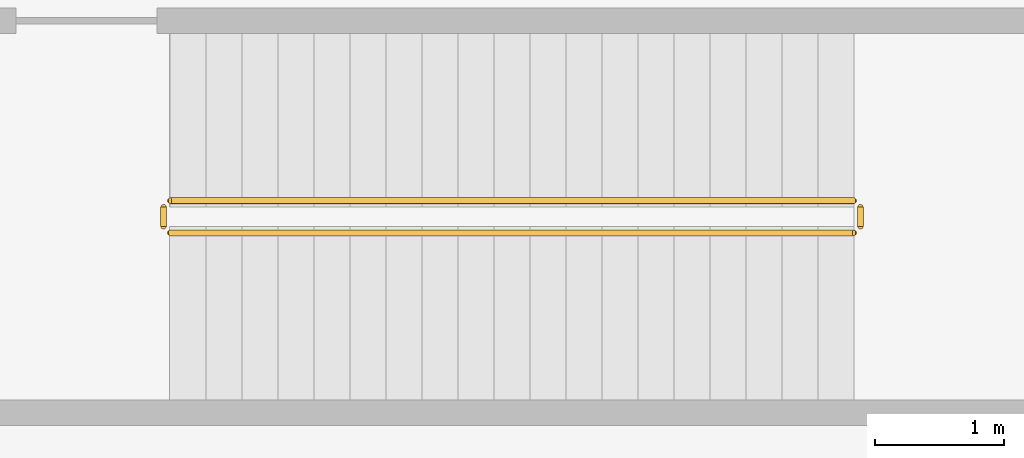
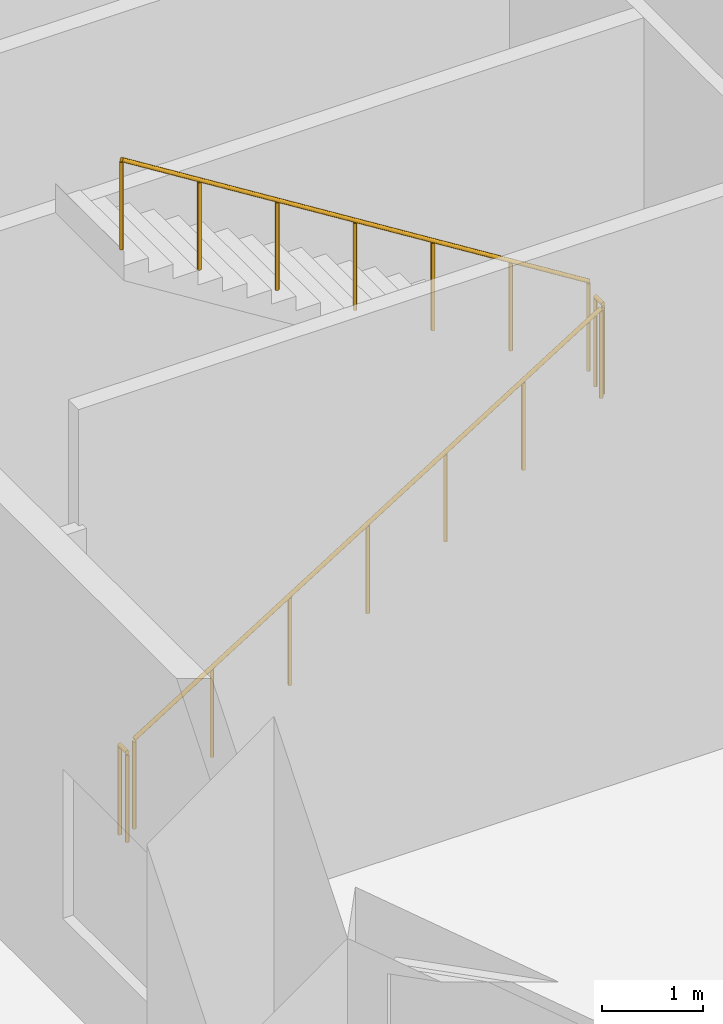
# One storey, part 24 of 32: 4 railings.
"""IFC4 building model written with IfcOpenShell, lengths in metres."""

import ifcopenshell
import ifcopenshell.guid

model = None  # the IFC model being written
_history = None  # IfcOwnerHistory: only IFC2X3 demands one
_inside = {}  # id of a spatial element -> (the spatial element, [elements in it])
_under = {}  # id of a project, library or spatial element -> (it, [spatial elements below it])
_declared = {}  # id of a project -> (the project, [libraries it declares])
_typed = {}  # id of a type object -> (the type object, [elements of that type])
_made_of = {}  # id of a material, layer set ... -> (it, [elements and type objects made of it])


def new_model(schema):
    """Start an empty IFC model of exactly this schema.

    Asked for "IFC4X3", IfcOpenShell would pick the latest addendum, in which some entities
    have other attributes; the version numbers below select the first issue.
    IFC2X3 requires an IfcOwnerHistory on every rooted entity: one is made here for all.
    """
    global model, _history
    if schema == "IFC4X3":
        model = ifcopenshell.file(schema_version=(4, 3, 0, 0))
    else:
        model = ifcopenshell.file(schema=schema)
    _inside.clear()
    _under.clear()
    _declared.clear()
    _typed.clear()
    _made_of.clear()
    _history = None
    if model.schema == "IFC2X3":
        org = make("IfcOrganization", Name="unknown")
        user = make(
            "IfcPersonAndOrganization",
            ThePerson=make("IfcPerson", FamilyName="unknown"),
            TheOrganization=org,
        )
        app = make(
            "IfcApplication",
            ApplicationDeveloper=org,
            Version="unknown",
            ApplicationFullName="unknown",
            ApplicationIdentifier="unknown",
        )
        _history = make(
            "IfcOwnerHistory",
            OwningUser=user,
            OwningApplication=app,
            ChangeAction="ADDED",
            CreationDate=0,
        )
    return model


def make(cls, **values):
    """One entity of the class cls with the attributes given. An attribute that is None is left unset."""
    return model.create_entity(
        cls, **{name: value for name, value in values.items() if value is not None}
    )


def rooted(cls, **values):
    """An entity with a GlobalId (a new one), such as an element, a storey or a relation."""
    return make(cls, GlobalId=ifcopenshell.guid.new(), OwnerHistory=_history, **values)


def si_unit(unit_type, name, prefix=None):
    """IfcSIUnit, for example si_unit("LENGTHUNIT", "METRE", prefix="MILLI")."""
    return make("IfcSIUnit", UnitType=unit_type, Prefix=prefix, Name=name)


def assignment(units):
    """IfcUnitAssignment: the units of a project."""
    return None if units is None else make("IfcUnitAssignment", Units=units)


def point(xyz):
    """IfcCartesianPoint."""
    return None if xyz is None else make("IfcCartesianPoint", Coordinates=xyz)


def direction(xyz):
    """IfcDirection."""
    return None if xyz is None else make("IfcDirection", DirectionRatios=xyz)


def frame(location, z_axis=None, x_axis=None):
    """IfcAxis2Placement3D, a coordinate frame: its origin and axes. An axis left out is left unset."""
    return make(
        "IfcAxis2Placement3D",
        Location=point(location),
        Axis=direction(z_axis),
        RefDirection=direction(x_axis),
    )


def frame_2d(location, x_axis=None):
    """IfcAxis2Placement2D, a coordinate frame in the plane: its origin and x axis."""
    return make(
        "IfcAxis2Placement2D", Location=point(location), RefDirection=direction(x_axis)
    )


def origin():
    """The frame at (0, 0, 0) with its axes left unset."""
    return frame((0.0, 0.0, 0.0))


def origin_2d():
    """The frame at (0, 0) in the plane with its x axis left unset."""
    return frame_2d((0.0, 0.0))


def place(relative_to, where):
    """IfcLocalPlacement: puts the frame where relative to a parent placement (None: the world)."""
    return make(
        "IfcLocalPlacement", PlacementRelTo=relative_to, RelativePlacement=where
    )


def context(
    kind, dimensions, precision=None, world=None, true_north=None, identifier=None
):
    """IfcGeometricRepresentationContext, for example the 3D "Model" context."""
    return make(
        "IfcGeometricRepresentationContext",
        ContextIdentifier=identifier,
        ContextType=kind,
        CoordinateSpaceDimension=dimensions,
        Precision=precision,
        WorldCoordinateSystem=world,
        TrueNorth=true_north,
    )


def subcontext(parent, identifier, kind, view, scale=None):
    """IfcGeometricRepresentationSubContext, for example "Body" below "Model"."""
    return make(
        "IfcGeometricRepresentationSubContext",
        ContextIdentifier=identifier,
        ContextType=kind,
        ParentContext=parent,
        TargetScale=scale,
        TargetView=view,
    )


def project(units=None, contexts=None):
    """IfcProject with its units and contexts."""
    return rooted(
        "IfcProject",
        Name="project",
        RepresentationContexts=contexts,
        UnitsInContext=assignment(units),
    )


def spatial(cls, under=None, at=None, **own):
    """A site, building, storey or space (cls), placed at a placement, below another one or the project."""
    s = rooted(cls, ObjectPlacement=at, **own)
    if under is not None:
        _under.setdefault(under.id(), (under, []))[1].append(s)
    return s


def profile(cls, at=None, kind="AREA", **sizes):
    """A parametric profile (cls). Its sizes go by their IFC names, for example OverallWidth=200.0."""
    return make(cls, ProfileType=kind, Position=at, **sizes)


def circle(**sizes):
    """IfcCircleProfileDef."""
    return profile("IfcCircleProfileDef", **sizes)


def extrude(swept, where, along, depth):
    """IfcExtrudedAreaSolid: the profile swept, set in the frame where, extruded along a direction by depth."""
    return make(
        "IfcExtrudedAreaSolid",
        SweptArea=swept,
        Position=where,
        ExtrudedDirection=direction(along),
        Depth=depth,
    )


def shape(context_of_items, identifier, shape_type, items):
    """IfcShapeRepresentation: the items that make up one representation, for example the "Body"."""
    return make(
        "IfcShapeRepresentation",
        ContextOfItems=context_of_items,
        RepresentationIdentifier=identifier,
        RepresentationType=shape_type,
        Items=items,
    )


def material(Name=None, Category=None):
    """IfcMaterial."""
    return make("IfcMaterial", Name=Name, Category=Category)


def made_of(thing, what):
    """Note that an element or type object is made of a material, layer set ...; save() writes the relation."""
    if what is not None:
        _made_of.setdefault(what.id(), (what, []))[1].append(thing)
    return thing


def type_object(cls, material=None, **own):
    """A type object (cls), such as IfcWallType, which elements share."""
    return made_of(rooted(cls, **own), material)


def element(
    cls,
    number,
    at=None,
    inside=None,
    cuts=None,
    type_object=None,
    material=None,
    context=None,
    identifier="Body",
    shape_type=None,
    held_by="IfcProductDefinitionShape",
    body=None,
    shapes=None,
    **own,
):
    """One element of the class cls, such as IfcWall. Its Tag is "e" and its number.

    at: its placement. inside: the storey or other place that contains it. cuts: it is an
    opening in that element (IfcRelVoidsElement). A single representation is given by context,
    identifier, shape_type and body (its items); several are given by shapes. held_by: the class
    of the entity that holds the representations. save() writes the other relations.
    """
    e = rooted(cls, Tag="e%d" % number, ObjectPlacement=at, **own)
    if body is not None:
        shapes = [shape(context, identifier, shape_type, body)]
    if shapes is not None:
        e.Representation = make(held_by, Representations=shapes)
    if inside is not None:
        _inside.setdefault(inside.id(), (inside, []))[1].append(e)
    if cuts is not None:
        rooted(
            "IfcRelVoidsElement", RelatingBuildingElement=cuts, RelatedOpeningElement=e
        )
    if type_object is not None:
        _typed.setdefault(type_object.id(), (type_object, []))[1].append(e)
    return made_of(e, material)


def aggregate(whole, parts):
    """IfcRelAggregates: a whole, such as a stair, and the parts it consists of."""
    return rooted("IfcRelAggregates", RelatingObject=whole, RelatedObjects=parts)


def save(model, path):
    """Write the relations noted so far, then the file.

    IfcRelAggregates (storeys below a building ...), IfcRelContainedInSpatialStructure (elements
    in a storey), IfcRelDefinesByType, IfcRelAssociatesMaterial and IfcRelDeclares: one each for
    every whole, place, type object, material and project.
    """
    for whole, parts in _under.values():
        aggregate(whole, parts)
    for where, things in _inside.values():
        rooted(
            "IfcRelContainedInSpatialStructure",
            RelatedElements=things,
            RelatingStructure=where,
        )
    for kind, things in _typed.values():
        rooted("IfcRelDefinesByType", RelatedObjects=things, RelatingType=kind)
    for what, things in _made_of.values():
        rooted("IfcRelAssociatesMaterial", RelatedObjects=things, RelatingMaterial=what)
    for by, libraries in _declared.values():
        rooted("IfcRelDeclares", RelatingContext=by, RelatedDefinitions=libraries)
    model.write(path)


model = new_model("IFC4")

# Units and contexts
model_context = context("Model", 3, precision=1e-05, world=origin(), true_north=direction((0.0, 1.0)))
body_context = subcontext(model_context, "Body", "Model", "MODEL_VIEW")
ifc_project = project(units=[si_unit("LENGTHUNIT", "METRE"), si_unit("AREAUNIT", "SQUARE_METRE"), si_unit("VOLUMEUNIT", "CUBIC_METRE"), si_unit("PLANEANGLEUNIT", "RADIAN"), si_unit("MASSUNIT", "GRAM", prefix="KILO")], contexts=[model_context])

# Site, building, storey
site_placement = place(None, origin())
site = spatial("IfcSite", under=ifc_project, at=site_placement, CompositionType="ELEMENT")
building_placement = place(site_placement, origin())
building = spatial("IfcBuilding", under=site, at=building_placement, Name="Kawkab Arch Medical Tower", CompositionType="ELEMENT")
storey_placement = place(building_placement, origin())
storey = spatial("IfcBuildingStorey", under=building, at=storey_placement, Name="L01", CompositionType="ELEMENT", Elevation=0.0)

# Railings
ifc_material = material(Name="Stainless steel", Category="steel")
railing_type = type_object("IfcRailingType", Name="Stair guard 1100", PredefinedType="GUARDRAIL", material=ifc_material)
railing_1_placement = place(storey_placement, frame((1.97509765625, -72.35009765625, 0.175048828125)))
element("IfcRailing", 1, at=railing_1_placement, inside=storey, type_object=railing_type, Name="L01 ST10 stair guard 1", PredefinedType="GUARDRAIL", context=body_context, shape_type="SweptSolid", body=[
    extrude(circle(Radius=0.02392578125, at=origin_2d()), frame((0.0, 0.0, 1.076171875), z_axis=(0.847993931318, 0.0, 0.530005936238), x_axis=(0.0, 1.0, 0.0)), (0.0, 0.0, 1.0), 6.2734375),
    extrude(circle(Radius=0.02099609375, at=origin_2d()), origin(), (0.0, 0.0, 1.0), 1.052001953125),
    extrude(circle(Radius=0.02099609375, at=origin_2d()), frame((0.88671875, 0.0, 0.55419921875)), (0.0, 0.0, 1.0), 1.052001953125),
    extrude(circle(Radius=0.02099609375, at=origin_2d()), frame((1.773193359375, 0.0, 1.1083984375)), (0.0, 0.0, 1.0), 1.052001953125),
    extrude(circle(Radius=0.02099609375, at=origin_2d()), frame((2.659912109375, 0.0, 1.66259765625)), (0.0, 0.0, 1.0), 1.052001953125),
    extrude(circle(Radius=0.02099609375, at=origin_2d()), frame((3.546630859375, 0.0, 2.216552734375)), (0.0, 0.0, 1.0), 1.052001953125),
    extrude(circle(Radius=0.02099609375, at=origin_2d()), frame((4.43310546875, 0.0, 2.770751953125)), (0.0, 0.0, 1.0), 1.052001953125),
    extrude(circle(Radius=0.02099609375, at=origin_2d()), frame((5.31982421875, 0.0, 3.324951171875)), (0.0, 0.0, 1.0), 1.052001953125),
])
railing_2_placement = place(storey_placement, frame((7.344970703125, -72.300048828125, 3.5)))
element("IfcRailing", 2, at=railing_2_placement, inside=storey, type_object=railing_type, Name="L01 ST10 stair guard 2", PredefinedType="GUARDRAIL", context=body_context, shape_type="SweptSolid", body=[
    extrude(circle(Radius=0.02392578125, at=origin_2d()), frame((0.0, 0.0, 1.076171875), z_axis=(0.0, 1.0, 0.0), x_axis=(-1.0, 0.0, 0.0)), (0.0, 0.0, 1.0), 0.150146484375),
    extrude(circle(Radius=0.02099609375, at=origin_2d()), origin(), (0.0, 0.0, 1.0), 1.052001953125),
    extrude(circle(Radius=0.02099609375, at=origin_2d()), frame((0.0, 0.150146484375, 0.0)), (0.0, 0.0, 1.0), 1.052001953125),
])
railing_3_placement = place(storey_placement, frame((7.294921875, -72.10009765625, 3.675048828125)))
element("IfcRailing", 3, at=railing_3_placement, inside=storey, type_object=railing_type, Name="L01 ST10 stair guard 3", PredefinedType="GUARDRAIL", context=body_context, shape_type="SweptSolid", body=[
    extrude(circle(Radius=0.02392578125, at=origin_2d()), frame((0.0, 0.0, 1.076171875), z_axis=(-0.847993931318, 0.0, 0.530005936238), x_axis=(0.0, -1.0, 0.0)), (0.0, 0.0, 1.0), 6.2734375),
    extrude(circle(Radius=0.02099609375, at=origin_2d()), origin(), (0.0, 0.0, 1.0), 1.052001953125),
    extrude(circle(Radius=0.02099609375, at=origin_2d()), frame((-0.88671875, 0.0, 0.55419921875)), (0.0, 0.0, 1.0), 1.052001953125),
    extrude(circle(Radius=0.02099609375, at=origin_2d()), frame((-1.773193359375, 0.0, 1.1083984375)), (0.0, 0.0, 1.0), 1.052001953125),
    extrude(circle(Radius=0.02099609375, at=origin_2d()), frame((-2.659912109375, 0.0, 1.66259765625)), (0.0, 0.0, 1.0), 1.052001953125),
    extrude(circle(Radius=0.02099609375, at=origin_2d()), frame((-3.546630859375, 0.0, 2.216552734375)), (0.0, 0.0, 1.0), 1.052001953125),
    extrude(circle(Radius=0.02099609375, at=origin_2d()), frame((-4.43310546875, 0.0, 2.770751953125)), (0.0, 0.0, 1.0), 1.052001953125),
    extrude(circle(Radius=0.02099609375, at=origin_2d()), frame((-5.31982421875, 0.0, 3.324951171875)), (0.0, 0.0, 1.0), 1.052001953125),
])
railing_4_placement = place(storey_placement, frame((1.925048828125, -72.300048828125, 0.0)))
element("IfcRailing", 4, at=railing_4_placement, inside=storey, type_object=railing_type, Name="L01 ST10 stair guard 4", PredefinedType="GUARDRAIL", context=body_context, shape_type="SweptSolid", body=[
    extrude(circle(Radius=0.02392578125, at=origin_2d()), frame((0.0, 0.0, 1.076171875), z_axis=(0.0, 1.0, 0.0), x_axis=(-1.0, 0.0, 0.0)), (0.0, 0.0, 1.0), 0.150146484375),
    extrude(circle(Radius=0.02099609375, at=origin_2d()), origin(), (0.0, 0.0, 1.0), 1.052001953125),
    extrude(circle(Radius=0.02099609375, at=origin_2d()), frame((0.0, 0.150146484375, 0.0)), (0.0, 0.0, 1.0), 1.052001953125),
])

save(model, "model.ifc")
